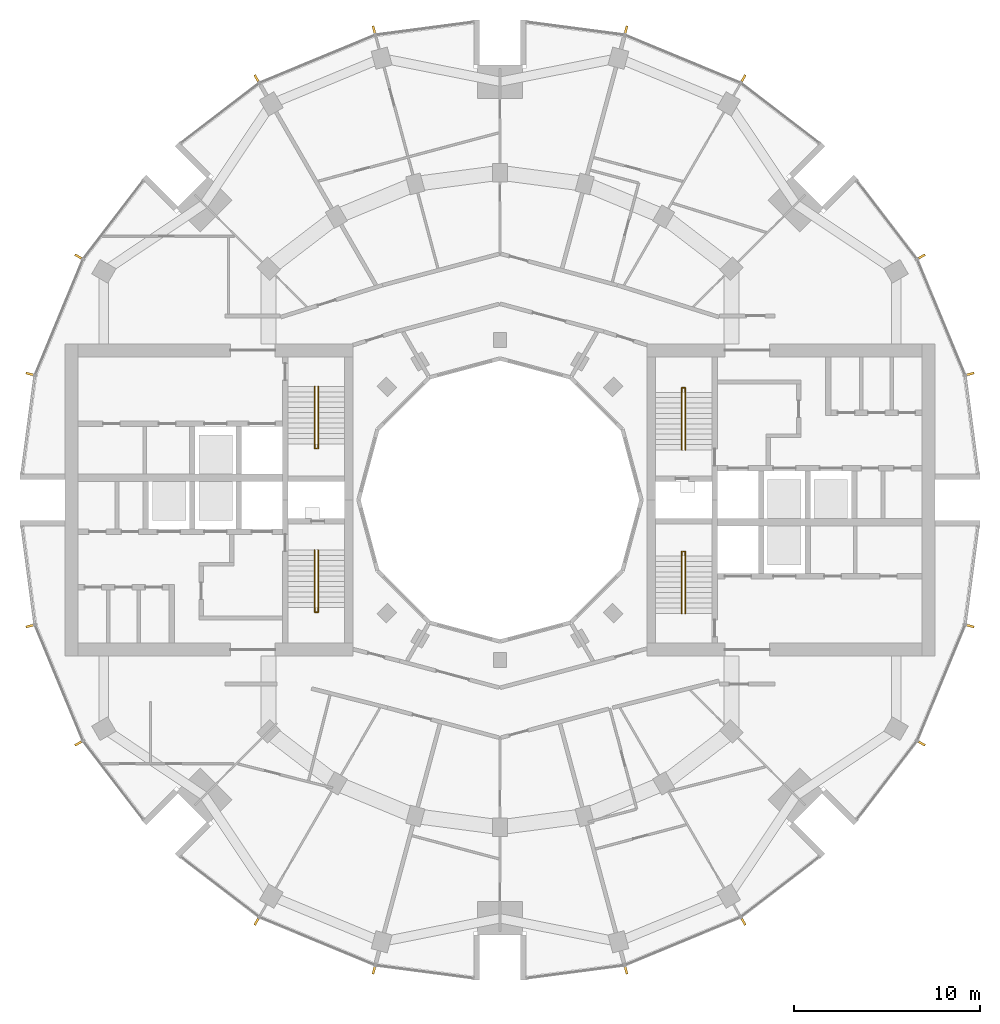
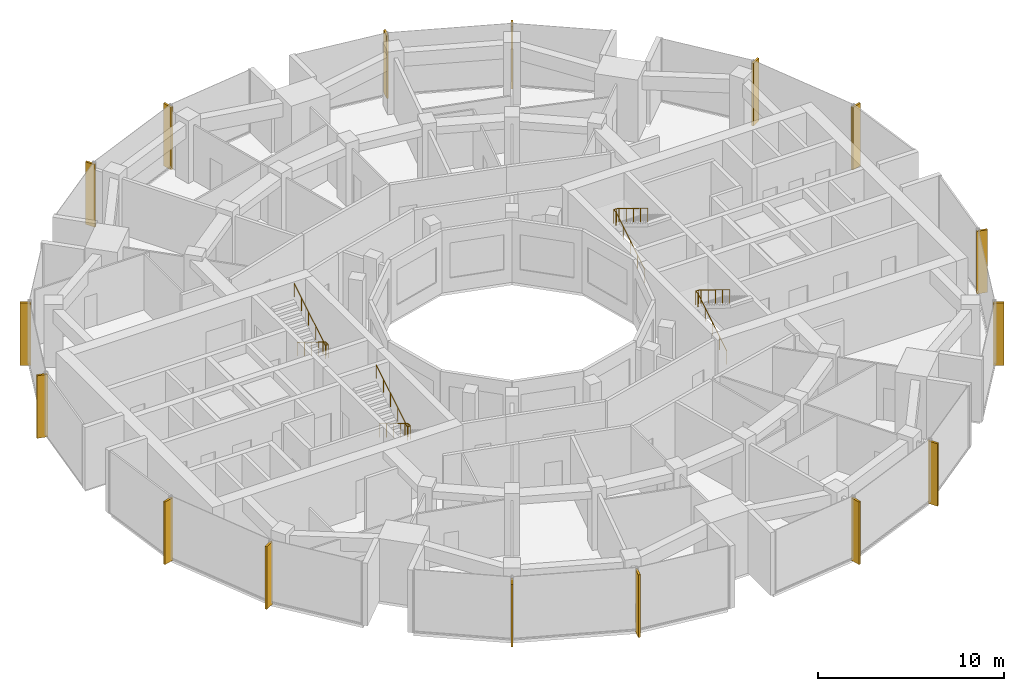
# One storey, part 14 of 15: 16 shading devices, 4 railings.
"""IFC4 building model written with IfcOpenShell, lengths in metres."""

import ifcopenshell
import ifcopenshell.guid

model = None  # the IFC model being written
_history = None  # IfcOwnerHistory: only IFC2X3 demands one
_inside = {}  # id of a spatial element -> (the spatial element, [elements in it])
_under = {}  # id of a project, library or spatial element -> (it, [spatial elements below it])
_declared = {}  # id of a project -> (the project, [libraries it declares])
_typed = {}  # id of a type object -> (the type object, [elements of that type])
_made_of = {}  # id of a material, layer set ... -> (it, [elements and type objects made of it])


def new_model(schema):
    """Start an empty IFC model of exactly this schema.

    Asked for "IFC4X3", IfcOpenShell would pick the latest addendum, in which some entities
    have other attributes; the version numbers below select the first issue.
    IFC2X3 requires an IfcOwnerHistory on every rooted entity: one is made here for all.
    """
    global model, _history
    if schema == "IFC4X3":
        model = ifcopenshell.file(schema_version=(4, 3, 0, 0))
    else:
        model = ifcopenshell.file(schema=schema)
    _inside.clear()
    _under.clear()
    _declared.clear()
    _typed.clear()
    _made_of.clear()
    _history = None
    if model.schema == "IFC2X3":
        org = make("IfcOrganization", Name="unknown")
        user = make(
            "IfcPersonAndOrganization",
            ThePerson=make("IfcPerson", FamilyName="unknown"),
            TheOrganization=org,
        )
        app = make(
            "IfcApplication",
            ApplicationDeveloper=org,
            Version="unknown",
            ApplicationFullName="unknown",
            ApplicationIdentifier="unknown",
        )
        _history = make(
            "IfcOwnerHistory",
            OwningUser=user,
            OwningApplication=app,
            ChangeAction="ADDED",
            CreationDate=0,
        )
    return model


def make(cls, **values):
    """One entity of the class cls with the attributes given. An attribute that is None is left unset."""
    return model.create_entity(
        cls, **{name: value for name, value in values.items() if value is not None}
    )


def rooted(cls, **values):
    """An entity with a GlobalId (a new one), such as an element, a storey or a relation."""
    return make(cls, GlobalId=ifcopenshell.guid.new(), OwnerHistory=_history, **values)


def si_unit(unit_type, name, prefix=None):
    """IfcSIUnit, for example si_unit("LENGTHUNIT", "METRE", prefix="MILLI")."""
    return make("IfcSIUnit", UnitType=unit_type, Prefix=prefix, Name=name)


def assignment(units):
    """IfcUnitAssignment: the units of a project."""
    return None if units is None else make("IfcUnitAssignment", Units=units)


def point(xyz):
    """IfcCartesianPoint."""
    return None if xyz is None else make("IfcCartesianPoint", Coordinates=xyz)


def direction(xyz):
    """IfcDirection."""
    return None if xyz is None else make("IfcDirection", DirectionRatios=xyz)


def frame(location, z_axis=None, x_axis=None):
    """IfcAxis2Placement3D, a coordinate frame: its origin and axes. An axis left out is left unset."""
    return make(
        "IfcAxis2Placement3D",
        Location=point(location),
        Axis=direction(z_axis),
        RefDirection=direction(x_axis),
    )


def frame_2d(location, x_axis=None):
    """IfcAxis2Placement2D, a coordinate frame in the plane: its origin and x axis."""
    return make(
        "IfcAxis2Placement2D", Location=point(location), RefDirection=direction(x_axis)
    )


def origin():
    """The frame at (0, 0, 0) with its axes left unset."""
    return frame((0.0, 0.0, 0.0))


def origin_2d():
    """The frame at (0, 0) in the plane with its x axis left unset."""
    return frame_2d((0.0, 0.0))


def place(relative_to, where):
    """IfcLocalPlacement: puts the frame where relative to a parent placement (None: the world)."""
    return make(
        "IfcLocalPlacement", PlacementRelTo=relative_to, RelativePlacement=where
    )


def context(
    kind, dimensions, precision=None, world=None, true_north=None, identifier=None
):
    """IfcGeometricRepresentationContext, for example the 3D "Model" context."""
    return make(
        "IfcGeometricRepresentationContext",
        ContextIdentifier=identifier,
        ContextType=kind,
        CoordinateSpaceDimension=dimensions,
        Precision=precision,
        WorldCoordinateSystem=world,
        TrueNorth=true_north,
    )


def subcontext(parent, identifier, kind, view, scale=None):
    """IfcGeometricRepresentationSubContext, for example "Body" below "Model"."""
    return make(
        "IfcGeometricRepresentationSubContext",
        ContextIdentifier=identifier,
        ContextType=kind,
        ParentContext=parent,
        TargetScale=scale,
        TargetView=view,
    )


def project(units=None, contexts=None):
    """IfcProject with its units and contexts."""
    return rooted(
        "IfcProject",
        Name="project",
        RepresentationContexts=contexts,
        UnitsInContext=assignment(units),
    )


def spatial(cls, under=None, at=None, **own):
    """A site, building, storey or space (cls), placed at a placement, below another one or the project."""
    s = rooted(cls, ObjectPlacement=at, **own)
    if under is not None:
        _under.setdefault(under.id(), (under, []))[1].append(s)
    return s


def profile(cls, at=None, kind="AREA", **sizes):
    """A parametric profile (cls). Its sizes go by their IFC names, for example OverallWidth=200.0."""
    return make(cls, ProfileType=kind, Position=at, **sizes)


def rectangle(**sizes):
    """IfcRectangleProfileDef."""
    return profile("IfcRectangleProfileDef", **sizes)


def circle(**sizes):
    """IfcCircleProfileDef."""
    return profile("IfcCircleProfileDef", **sizes)


def extrude(swept, where, along, depth):
    """IfcExtrudedAreaSolid: the profile swept, set in the frame where, extruded along a direction by depth."""
    return make(
        "IfcExtrudedAreaSolid",
        SweptArea=swept,
        Position=where,
        ExtrudedDirection=direction(along),
        Depth=depth,
    )


def shape(context_of_items, identifier, shape_type, items):
    """IfcShapeRepresentation: the items that make up one representation, for example the "Body"."""
    return make(
        "IfcShapeRepresentation",
        ContextOfItems=context_of_items,
        RepresentationIdentifier=identifier,
        RepresentationType=shape_type,
        Items=items,
    )


def material(Name=None, Category=None):
    """IfcMaterial."""
    return make("IfcMaterial", Name=Name, Category=Category)


def material_profile(
    of_material, cross_section, Name=None, Category=None, Priority=None
):
    """IfcMaterialProfile: a cross section and its material."""
    return make(
        "IfcMaterialProfile",
        Name=Name,
        Material=of_material,
        Profile=cross_section,
        Priority=Priority,
        Category=Category,
    )


def profile_set(profiles, Name=None, composite=None):
    """IfcMaterialProfileSet."""
    return make(
        "IfcMaterialProfileSet",
        Name=Name,
        MaterialProfiles=profiles,
        CompositeProfile=composite,
    )


def made_of(thing, what):
    """Note that an element or type object is made of a material, layer set ...; save() writes the relation."""
    if what is not None:
        _made_of.setdefault(what.id(), (what, []))[1].append(thing)
    return thing


def type_object(cls, material=None, **own):
    """A type object (cls), such as IfcWallType, which elements share."""
    return made_of(rooted(cls, **own), material)


def element(
    cls,
    number,
    at=None,
    inside=None,
    cuts=None,
    type_object=None,
    material=None,
    context=None,
    identifier="Body",
    shape_type=None,
    held_by="IfcProductDefinitionShape",
    body=None,
    shapes=None,
    **own,
):
    """One element of the class cls, such as IfcWall. Its Tag is "e" and its number.

    at: its placement. inside: the storey or other place that contains it. cuts: it is an
    opening in that element (IfcRelVoidsElement). A single representation is given by context,
    identifier, shape_type and body (its items); several are given by shapes. held_by: the class
    of the entity that holds the representations. save() writes the other relations.
    """
    e = rooted(cls, Tag="e%d" % number, ObjectPlacement=at, **own)
    if body is not None:
        shapes = [shape(context, identifier, shape_type, body)]
    if shapes is not None:
        e.Representation = make(held_by, Representations=shapes)
    if inside is not None:
        _inside.setdefault(inside.id(), (inside, []))[1].append(e)
    if cuts is not None:
        rooted(
            "IfcRelVoidsElement", RelatingBuildingElement=cuts, RelatedOpeningElement=e
        )
    if type_object is not None:
        _typed.setdefault(type_object.id(), (type_object, []))[1].append(e)
    return made_of(e, material)


def aggregate(whole, parts):
    """IfcRelAggregates: a whole, such as a stair, and the parts it consists of."""
    return rooted("IfcRelAggregates", RelatingObject=whole, RelatedObjects=parts)


def save(model, path):
    """Write the relations noted so far, then the file.

    IfcRelAggregates (storeys below a building ...), IfcRelContainedInSpatialStructure (elements
    in a storey), IfcRelDefinesByType, IfcRelAssociatesMaterial and IfcRelDeclares: one each for
    every whole, place, type object, material and project.
    """
    for whole, parts in _under.values():
        aggregate(whole, parts)
    for where, things in _inside.values():
        rooted(
            "IfcRelContainedInSpatialStructure",
            RelatedElements=things,
            RelatingStructure=where,
        )
    for kind, things in _typed.values():
        rooted("IfcRelDefinesByType", RelatedObjects=things, RelatingType=kind)
    for what, things in _made_of.values():
        rooted("IfcRelAssociatesMaterial", RelatedObjects=things, RelatingMaterial=what)
    for by, libraries in _declared.values():
        rooted("IfcRelDeclares", RelatingContext=by, RelatedDefinitions=libraries)
    model.write(path)


model = new_model("IFC4")

# Units and contexts
model_context = context("Model", 3, precision=1e-05, world=origin(), true_north=direction((0.0, 1.0)))
body_context = subcontext(model_context, "Body", "Model", "MODEL_VIEW")
ifc_project = project(units=[si_unit("LENGTHUNIT", "METRE"), si_unit("AREAUNIT", "SQUARE_METRE"), si_unit("VOLUMEUNIT", "CUBIC_METRE"), si_unit("PLANEANGLEUNIT", "RADIAN"), si_unit("MASSUNIT", "GRAM", prefix="KILO")], contexts=[model_context])

# Site, building, storey
site_placement = place(None, origin())
site = spatial("IfcSite", under=ifc_project, at=site_placement, CompositionType="ELEMENT")
building_placement = place(site_placement, origin())
building = spatial("IfcBuilding", under=site, at=building_placement, Name="Torre Brocal", CompositionType="ELEMENT")
storey_placement = place(building_placement, frame((0.0, 0.0, 170.0)))
storey = spatial("IfcBuildingStorey", under=building, at=storey_placement, Name="L39", CompositionType="ELEMENT", Elevation=170.0)

# Shading devices
ifc_material_1 = material(Name="Aluminium, black anodised", Category="aluminium")
ifc_material_profile = material_profile(ifc_material_1, rectangle(XDim=0.1201171875, YDim=0.60009765625, at=origin_2d()), Name="FIN 120X600 4100 HIGH")
ifc_profile_set = profile_set([ifc_material_profile], Name="Aluminium, black anodised")
shading_device_type = type_object("IfcShadingDeviceType", Name="FIN 120X600 4100 HIGH", PredefinedType="USERDEFINED", material=ifc_profile_set)
for number, where, z_axis, x_axis, name in (
    (1, (105.208984375, 81.754638671875, -0.14990234375), (0.0, 0.0, 1.0), (-0.258819045103, 0.965925826289, 0.0), "FIN"),
    (2, (102.601806640625, 88.049072265625, -0.14990234375), (0.0, 0.0, 1.0), (-0.5, 0.866025403784, 0.0), "FIN"),
    (3, (93.049072265625, 97.601806640625, -0.14990234375), (0.0, 0.0, 1.0), (-0.866025403784, 0.5, 0.0), "FIN"),
    (4, (86.754638671875, 100.208984375, -0.14990234375), (0.0, 0.0, 1.0), (-0.965925826289, 0.258819045103, 0.0), "FIN"),
    (5, (73.245361328125, 100.208984375, -0.14990234375), (0.0, 0.0, 1.0), (-0.965925826289, -0.258819045103, 0.0), "FIN"),
    (6, (66.950927734375, 97.601806640625, -0.14990234375), (0.0, 0.0, 1.0), (-0.866025403784, -0.5, 0.0), "FIN"),
    (7, (57.398193359375, 88.049072265625, -0.14990234375), (0.0, 0.0, 1.0), (-0.5, -0.866025403784, 0.0), "FIN"),
    (8, (54.791015625, 81.754638671875, -0.14990234375), (0.0, 0.0, 1.0), (-0.258819045103, -0.965925826289, 0.0), "FIN"),
    (9, (54.791015625, 68.245361328125, -0.14990234375), (0.0, 0.0, 1.0), (0.258819045103, -0.965925826289, 0.0), "FIN"),
    (10, (57.398193359375, 61.950927734375, -0.14990234375), (0.0, 0.0, 1.0), (0.5, -0.866025403784, 0.0), "FIN"),
    (11, (66.950927734375, 52.398193359375, -0.14990234375), (0.0, 0.0, 1.0), (0.866025403784, -0.5, 0.0), "FIN"),
    (12, (73.245361328125, 49.791015625, -0.14990234375), (0.0, 0.0, 1.0), (0.965925826289, -0.258819045103, 0.0), "FIN"),
    (13, (86.754638671875, 49.791015625, -0.14990234375), (0.0, 0.0, 1.0), (0.965925826289, 0.258819045103, 0.0), "FIN"),
    (14, (93.049072265625, 52.398193359375, -0.14990234375), (0.0, 0.0, 1.0), (0.866025403784, 0.5, 0.0), "FIN"),
    (15, (102.601806640625, 61.950927734375, -0.14990234375), (0.0, 0.0, 1.0), (0.5, 0.866025403784, 0.0), "FIN"),
    (16, (105.208984375, 68.245361328125, -0.14990234375), (0.0, 0.0, 1.0), (0.258819045103, 0.965925826289, 0.0), "FIN"),
):
    element("IfcShadingDevice", number, at=place(storey_placement, frame(where, z_axis=z_axis, x_axis=x_axis)), inside=storey, type_object=shading_device_type, Name=name, ObjectType="FIN", PredefinedType="USERDEFINED", context=body_context, shape_type="SweptSolid", body=[
        extrude(rectangle(XDim=0.1201171875, YDim=0.60009765625, at=origin_2d()), origin(), (0.0, 0.0, 1.0), 4.099853515625),
    ])

# Railings
ifc_material_2 = material(Name="Stainless steel AISI 316", Category="steel")
railing_type = type_object("IfcRailingType", Name="STAIR HANDRAIL", PredefinedType="HANDRAIL", material=ifc_material_2)
railing_1_placement = place(storey_placement, frame((89.780029296875, 77.699951171875, 0.1708984375)))
element("IfcRailing", 17, at=railing_1_placement, inside=storey, type_object=railing_type, Name="HANDRAIL ST1", PredefinedType="HANDRAIL", context=body_context, shape_type="SweptSolid", body=[
    extrude(circle(Radius=0.02392578125, at=origin_2d()), frame((0.0, 0.0, 0.8759765625), z_axis=(0.0, 0.853666305674, 0.52082035152), x_axis=(-1.0, 0.0, 0.0)), (0.0, 0.0, 1.0), 3.608154296875),
    extrude(circle(Radius=0.02392578125, at=origin_2d()), frame((0.0, 3.080078125, 2.7548828125), z_axis=(0.0, 1.0, 0.0), x_axis=(-1.0, 0.0, 0.0)), (0.0, 0.0, 1.0), 0.25),
    extrude(circle(Radius=0.02392578125, at=origin_2d()), frame((0.0, 3.330078125, 2.7548828125), z_axis=(1.0, 0.0, 0.0), x_axis=(0.0, 1.0, 0.0)), (0.0, 0.0, 1.0), 0.18994140625),
    extrude(circle(Radius=0.02392578125, at=origin_2d()), frame((0.18994140625, 3.330078125, 2.7548828125), z_axis=(0.0, -0.825544483742, 0.564337049433), x_axis=(1.0, 0.0, 0.0)), (0.0, 0.0, 1.0), 0.302734375),
    extrude(circle(Radius=0.02392578125, at=origin_2d()), frame((0.18994140625, 3.080078125, 2.92578125), z_axis=(0.0, -0.853666305674, 0.52082035152), x_axis=(1.0, 0.0, 0.0)), (0.0, 0.0, 1.0), 3.608154296875),
    extrude(circle(Radius=0.02099609375, at=origin_2d()), origin(), (0.0, 0.0, 1.0), 0.851806640625),
    extrude(circle(Radius=0.02099609375, at=origin_2d()), frame((0.0, 0.77001953125, 0.4697265625)), (0.0, 0.0, 1.0), 0.851806640625),
    extrude(circle(Radius=0.02099609375, at=origin_2d()), frame((0.0, 1.5400390625, 0.939453125)), (0.0, 0.0, 1.0), 0.851806640625),
    extrude(circle(Radius=0.02099609375, at=origin_2d()), frame((0.0, 2.31005859375, 1.409423828125)), (0.0, 0.0, 1.0), 0.851806640625),
    extrude(circle(Radius=0.02099609375, at=origin_2d()), frame((0.0, 3.080078125, 1.879150390625)), (0.0, 0.0, 1.0), 0.851806640625),
    extrude(circle(Radius=0.02099609375, at=origin_2d()), frame((0.0, 3.330078125, 1.879150390625)), (0.0, 0.0, 1.0), 0.851806640625),
    extrude(circle(Radius=0.02099609375, at=origin_2d()), frame((0.18994140625, 3.330078125, 1.879150390625)), (0.0, 0.0, 1.0), 0.851806640625),
    extrude(circle(Radius=0.02099609375, at=origin_2d()), frame((0.18994140625, 3.080078125, 2.050048828125)), (0.0, 0.0, 1.0), 0.851806640625),
    extrude(circle(Radius=0.02099609375, at=origin_2d()), frame((0.18994140625, 2.31005859375, 2.519775390625)), (0.0, 0.0, 1.0), 0.851806640625),
    extrude(circle(Radius=0.02099609375, at=origin_2d()), frame((0.18994140625, 1.5400390625, 2.98974609375)), (0.0, 0.0, 1.0), 0.851806640625),
    extrude(circle(Radius=0.02099609375, at=origin_2d()), frame((0.18994140625, 0.77001953125, 3.45947265625)), (0.0, 0.0, 1.0), 0.851806640625),
    extrude(circle(Radius=0.02099609375, at=origin_2d()), frame((0.18994140625, 0.0, 3.92919921875)), (0.0, 0.0, 1.0), 0.851806640625),
])
railing_2_placement = place(storey_placement, frame((89.780029296875, 68.89990234375, 0.1708984375)))
element("IfcRailing", 18, at=railing_2_placement, inside=storey, type_object=railing_type, Name="HANDRAIL ST2", PredefinedType="HANDRAIL", context=body_context, shape_type="SweptSolid", body=[
    extrude(circle(Radius=0.02392578125, at=origin_2d()), frame((0.0, 0.0, 0.8759765625), z_axis=(0.0, 0.853666305674, 0.52082035152), x_axis=(-1.0, 0.0, 0.0)), (0.0, 0.0, 1.0), 3.608154296875),
    extrude(circle(Radius=0.02392578125, at=origin_2d()), frame((0.0, 3.080078125, 2.7548828125), z_axis=(0.0, 1.0, 0.0), x_axis=(-1.0, 0.0, 0.0)), (0.0, 0.0, 1.0), 0.25),
    extrude(circle(Radius=0.02392578125, at=origin_2d()), frame((0.0, 3.330078125, 2.7548828125), z_axis=(1.0, 0.0, 0.0), x_axis=(0.0, 1.0, 0.0)), (0.0, 0.0, 1.0), 0.18994140625),
    extrude(circle(Radius=0.02392578125, at=origin_2d()), frame((0.18994140625, 3.330078125, 2.7548828125), z_axis=(0.0, -0.825544483742, 0.564337049433), x_axis=(1.0, 0.0, 0.0)), (0.0, 0.0, 1.0), 0.302734375),
    extrude(circle(Radius=0.02392578125, at=origin_2d()), frame((0.18994140625, 3.080078125, 2.92578125), z_axis=(0.0, -0.853666305674, 0.52082035152), x_axis=(1.0, 0.0, 0.0)), (0.0, 0.0, 1.0), 3.608154296875),
    extrude(circle(Radius=0.02099609375, at=origin_2d()), origin(), (0.0, 0.0, 1.0), 0.851806640625),
    extrude(circle(Radius=0.02099609375, at=origin_2d()), frame((0.0, 0.77001953125, 0.4697265625)), (0.0, 0.0, 1.0), 0.851806640625),
    extrude(circle(Radius=0.02099609375, at=origin_2d()), frame((0.0, 1.5400390625, 0.939453125)), (0.0, 0.0, 1.0), 0.851806640625),
    extrude(circle(Radius=0.02099609375, at=origin_2d()), frame((0.0, 2.31005859375, 1.409423828125)), (0.0, 0.0, 1.0), 0.851806640625),
    extrude(circle(Radius=0.02099609375, at=origin_2d()), frame((0.0, 3.080078125, 1.879150390625)), (0.0, 0.0, 1.0), 0.851806640625),
    extrude(circle(Radius=0.02099609375, at=origin_2d()), frame((0.0, 3.330078125, 1.879150390625)), (0.0, 0.0, 1.0), 0.851806640625),
    extrude(circle(Radius=0.02099609375, at=origin_2d()), frame((0.18994140625, 3.330078125, 1.879150390625)), (0.0, 0.0, 1.0), 0.851806640625),
    extrude(circle(Radius=0.02099609375, at=origin_2d()), frame((0.18994140625, 3.080078125, 2.050048828125)), (0.0, 0.0, 1.0), 0.851806640625),
    extrude(circle(Radius=0.02099609375, at=origin_2d()), frame((0.18994140625, 2.31005859375, 2.519775390625)), (0.0, 0.0, 1.0), 0.851806640625),
    extrude(circle(Radius=0.02099609375, at=origin_2d()), frame((0.18994140625, 1.5400390625, 2.98974609375)), (0.0, 0.0, 1.0), 0.851806640625),
    extrude(circle(Radius=0.02099609375, at=origin_2d()), frame((0.18994140625, 0.77001953125, 3.45947265625)), (0.0, 0.0, 1.0), 0.851806640625),
    extrude(circle(Radius=0.02099609375, at=origin_2d()), frame((0.18994140625, 0.0, 3.92919921875)), (0.0, 0.0, 1.0), 0.851806640625),
])
railing_3_placement = place(storey_placement, frame((70.219970703125, 72.300048828125, 0.1708984375)))
element("IfcRailing", 19, at=railing_3_placement, inside=storey, type_object=railing_type, Name="HANDRAIL ST3", PredefinedType="HANDRAIL", context=body_context, shape_type="SweptSolid", body=[
    extrude(circle(Radius=0.02392578125, at=origin_2d()), frame((0.0, 0.0, 0.8759765625), z_axis=(0.0, -0.853666305674, 0.52082035152), x_axis=(1.0, 0.0, 0.0)), (0.0, 0.0, 1.0), 3.608154296875),
    extrude(circle(Radius=0.02392578125, at=origin_2d()), frame((0.0, -3.080078125, 2.7548828125), z_axis=(0.0, -1.0, 0.0), x_axis=(1.0, 0.0, 0.0)), (0.0, 0.0, 1.0), 0.25),
    extrude(circle(Radius=0.02392578125, at=origin_2d()), frame((0.0, -3.330078125, 2.7548828125), z_axis=(-1.0, 0.0, 0.0), x_axis=(0.0, -1.0, 0.0)), (0.0, 0.0, 1.0), 0.18994140625),
    extrude(circle(Radius=0.02392578125, at=origin_2d()), frame((-0.18994140625, -3.330078125, 2.7548828125), z_axis=(0.0, 0.825544483742, 0.564337049433), x_axis=(-1.0, 0.0, 0.0)), (0.0, 0.0, 1.0), 0.302734375),
    extrude(circle(Radius=0.02392578125, at=origin_2d()), frame((-0.18994140625, -3.080078125, 2.92578125), z_axis=(0.0, 0.853666305674, 0.52082035152), x_axis=(-1.0, 0.0, 0.0)), (0.0, 0.0, 1.0), 3.608154296875),
    extrude(circle(Radius=0.02099609375, at=origin_2d()), origin(), (0.0, 0.0, 1.0), 0.851806640625),
    extrude(circle(Radius=0.02099609375, at=origin_2d()), frame((0.0, -0.77001953125, 0.4697265625)), (0.0, 0.0, 1.0), 0.851806640625),
    extrude(circle(Radius=0.02099609375, at=origin_2d()), frame((0.0, -1.5400390625, 0.939453125)), (0.0, 0.0, 1.0), 0.851806640625),
    extrude(circle(Radius=0.02099609375, at=origin_2d()), frame((0.0, -2.31005859375, 1.409423828125)), (0.0, 0.0, 1.0), 0.851806640625),
    extrude(circle(Radius=0.02099609375, at=origin_2d()), frame((0.0, -3.080078125, 1.879150390625)), (0.0, 0.0, 1.0), 0.851806640625),
    extrude(circle(Radius=0.02099609375, at=origin_2d()), frame((0.0, -3.330078125, 1.879150390625)), (0.0, 0.0, 1.0), 0.851806640625),
    extrude(circle(Radius=0.02099609375, at=origin_2d()), frame((-0.18994140625, -3.330078125, 1.879150390625)), (0.0, 0.0, 1.0), 0.851806640625),
    extrude(circle(Radius=0.02099609375, at=origin_2d()), frame((-0.18994140625, -3.080078125, 2.050048828125)), (0.0, 0.0, 1.0), 0.851806640625),
    extrude(circle(Radius=0.02099609375, at=origin_2d()), frame((-0.18994140625, -2.31005859375, 2.519775390625)), (0.0, 0.0, 1.0), 0.851806640625),
    extrude(circle(Radius=0.02099609375, at=origin_2d()), frame((-0.18994140625, -1.5400390625, 2.98974609375)), (0.0, 0.0, 1.0), 0.851806640625),
    extrude(circle(Radius=0.02099609375, at=origin_2d()), frame((-0.18994140625, -0.77001953125, 3.45947265625)), (0.0, 0.0, 1.0), 0.851806640625),
    extrude(circle(Radius=0.02099609375, at=origin_2d()), frame((-0.18994140625, 0.0, 3.92919921875)), (0.0, 0.0, 1.0), 0.851806640625),
])
railing_4_placement = place(storey_placement, frame((70.219970703125, 81.10009765625, 0.1708984375)))
element("IfcRailing", 20, at=railing_4_placement, inside=storey, type_object=railing_type, Name="HANDRAIL ST4", PredefinedType="HANDRAIL", context=body_context, shape_type="SweptSolid", body=[
    extrude(circle(Radius=0.02392578125, at=origin_2d()), frame((0.0, 0.0, 0.8759765625), z_axis=(0.0, -0.853666305674, 0.52082035152), x_axis=(1.0, 0.0, 0.0)), (0.0, 0.0, 1.0), 3.608154296875),
    extrude(circle(Radius=0.02392578125, at=origin_2d()), frame((0.0, -3.080078125, 2.7548828125), z_axis=(0.0, -1.0, 0.0), x_axis=(1.0, 0.0, 0.0)), (0.0, 0.0, 1.0), 0.25),
    extrude(circle(Radius=0.02392578125, at=origin_2d()), frame((0.0, -3.330078125, 2.7548828125), z_axis=(-1.0, 0.0, 0.0), x_axis=(0.0, -1.0, 0.0)), (0.0, 0.0, 1.0), 0.18994140625),
    extrude(circle(Radius=0.02392578125, at=origin_2d()), frame((-0.18994140625, -3.330078125, 2.7548828125), z_axis=(0.0, 0.825544483742, 0.564337049433), x_axis=(-1.0, 0.0, 0.0)), (0.0, 0.0, 1.0), 0.302734375),
    extrude(circle(Radius=0.02392578125, at=origin_2d()), frame((-0.18994140625, -3.080078125, 2.92578125), z_axis=(0.0, 0.853666305674, 0.52082035152), x_axis=(-1.0, 0.0, 0.0)), (0.0, 0.0, 1.0), 3.608154296875),
    extrude(circle(Radius=0.02099609375, at=origin_2d()), origin(), (0.0, 0.0, 1.0), 0.851806640625),
    extrude(circle(Radius=0.02099609375, at=origin_2d()), frame((0.0, -0.77001953125, 0.4697265625)), (0.0, 0.0, 1.0), 0.851806640625),
    extrude(circle(Radius=0.02099609375, at=origin_2d()), frame((0.0, -1.5400390625, 0.939453125)), (0.0, 0.0, 1.0), 0.851806640625),
    extrude(circle(Radius=0.02099609375, at=origin_2d()), frame((0.0, -2.31005859375, 1.409423828125)), (0.0, 0.0, 1.0), 0.851806640625),
    extrude(circle(Radius=0.02099609375, at=origin_2d()), frame((0.0, -3.080078125, 1.879150390625)), (0.0, 0.0, 1.0), 0.851806640625),
    extrude(circle(Radius=0.02099609375, at=origin_2d()), frame((0.0, -3.330078125, 1.879150390625)), (0.0, 0.0, 1.0), 0.851806640625),
    extrude(circle(Radius=0.02099609375, at=origin_2d()), frame((-0.18994140625, -3.330078125, 1.879150390625)), (0.0, 0.0, 1.0), 0.851806640625),
    extrude(circle(Radius=0.02099609375, at=origin_2d()), frame((-0.18994140625, -3.080078125, 2.050048828125)), (0.0, 0.0, 1.0), 0.851806640625),
    extrude(circle(Radius=0.02099609375, at=origin_2d()), frame((-0.18994140625, -2.31005859375, 2.519775390625)), (0.0, 0.0, 1.0), 0.851806640625),
    extrude(circle(Radius=0.02099609375, at=origin_2d()), frame((-0.18994140625, -1.5400390625, 2.98974609375)), (0.0, 0.0, 1.0), 0.851806640625),
    extrude(circle(Radius=0.02099609375, at=origin_2d()), frame((-0.18994140625, -0.77001953125, 3.45947265625)), (0.0, 0.0, 1.0), 0.851806640625),
    extrude(circle(Radius=0.02099609375, at=origin_2d()), frame((-0.18994140625, 0.0, 3.92919921875)), (0.0, 0.0, 1.0), 0.851806640625),
])

save(model, "model.ifc")
